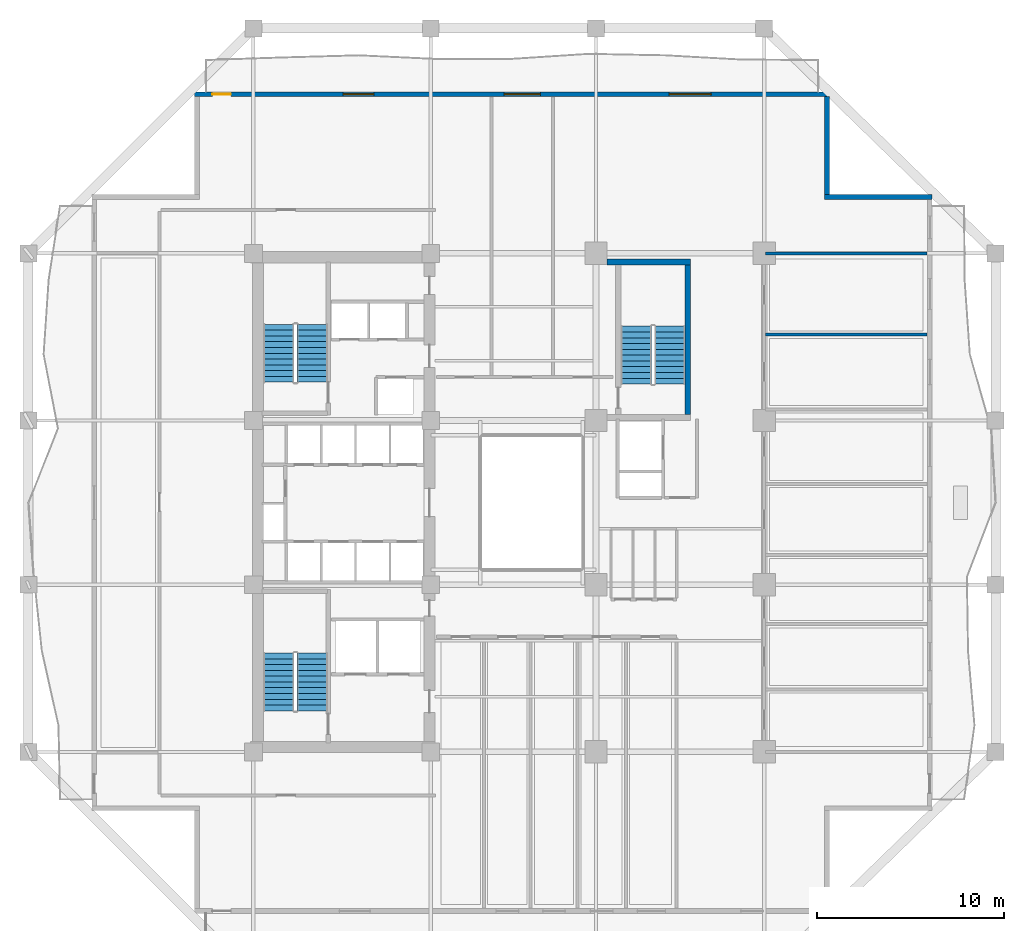
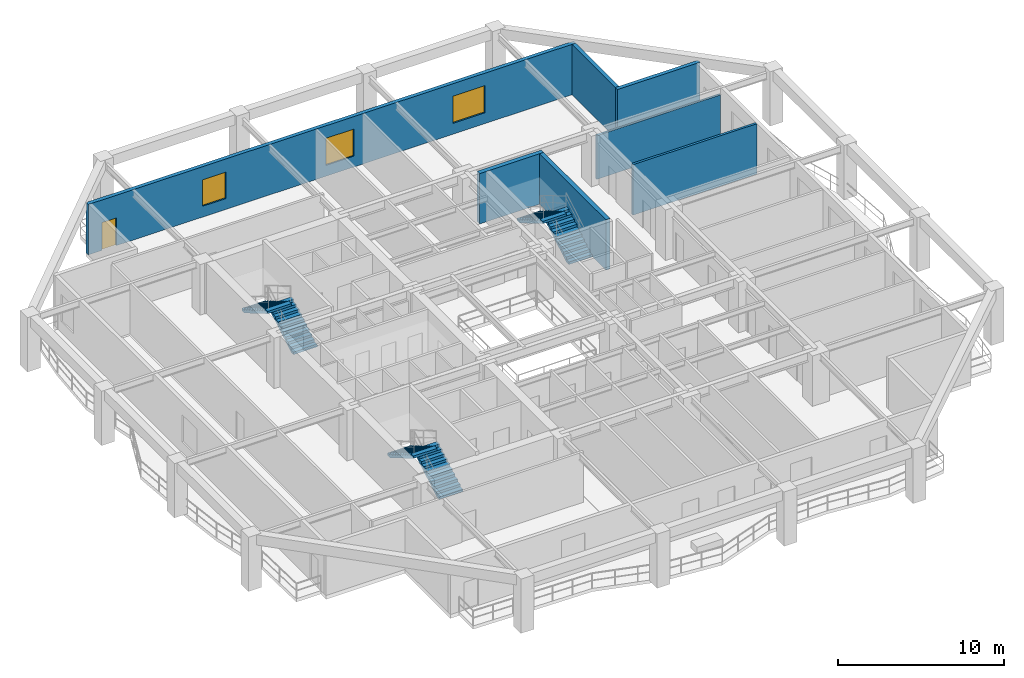
# One storey, part 6 of 13: 7 walls, 6 stair flights, 3 windows, 1 door, 4 openings, 3 elements without a shape of their own.
"""IFC4 building model written with IfcOpenShell, lengths in metres."""

from ifc_helpers import new_model, si_unit, direction, frame, frame_2d, origin, place, context, subcontext, project, spatial, polyline, rectangle, outline, extrude, material, layer, layer_set, type_object, element, fill, aggregate, save


model = new_model("IFC4")

# Units and contexts
model_context = context("Model", 3, precision=1e-05, world=origin(), true_north=direction((0.0, 1.0)))
body_context = subcontext(model_context, "Body", "Model", "MODEL_VIEW")
ifc_project = project(units=[si_unit("LENGTHUNIT", "METRE"), si_unit("AREAUNIT", "SQUARE_METRE"), si_unit("VOLUMEUNIT", "CUBIC_METRE"), si_unit("PLANEANGLEUNIT", "RADIAN"), si_unit("MASSUNIT", "GRAM", prefix="KILO")], contexts=[model_context])

# Site, building, storey
site_placement = place(None, origin())
site = spatial("IfcSite", under=ifc_project, at=site_placement, CompositionType="ELEMENT")
building_placement = place(site_placement, origin())
building = spatial("IfcBuilding", under=site, at=building_placement, Name="Kundavana Baori Tower", CompositionType="ELEMENT")
storey_placement = place(building_placement, frame((0.0, 0.0, 66.0)))
storey = spatial("IfcBuildingStorey", under=building, at=storey_placement, Name="L15", CompositionType="ELEMENT", Elevation=66.0)

# Walls
ifc_material_1 = material(Name="Kiln-Fired Terracotta Brick-Slip Masonry on Concrete C40/50", Category="masonry")
ifc_layer_1 = layer(ifc_material_1, 0.260009765625, Name="WL-EXT-BRK-260")
ifc_layer_set_1 = layer_set([ifc_layer_1], Name="Kiln-Fired Terracotta Brick-Slip Masonry on Concrete C40/50")
wall_type_1 = type_object("IfcWallType", Name="WL-EXT-BRK-260", PredefinedType="SOLIDWALL", material=ifc_layer_set_1)
wall_1_placement = place(storey_placement, frame((51.800048828125, 44.969970703125, 0.0), z_axis=(0.0, 0.0, 1.0), x_axis=(-1.0, 0.0, 0.0)))
element("IfcWall", 1, at=wall_1_placement, inside=storey, type_object=wall_type_1, Name="L15 Exterior Insulated Facade Wall 05", PredefinedType="SOLIDWALL", context=body_context, shape_type="SweptSolid", body=[
    extrude(rectangle(XDim=5.760009765625, YDim=0.260009765625, at=frame_2d((2.8798828125, 0.0))), origin(), (0.0, 0.0, 1.0), 3.719970703125),
])
wall_2_placement = place(storey_placement, frame((46.169921875, 45.10009765625, 0.0), z_axis=(0.0, 0.0, 1.0), x_axis=(0.0, 1.0, 0.0)))
element("IfcWall", 2, at=wall_2_placement, inside=storey, type_object=wall_type_1, Name="L15 Exterior Insulated Facade Wall 06", PredefinedType="SOLIDWALL", context=body_context, shape_type="SweptSolid", body=[
    extrude(rectangle(XDim=5.239990234375, YDim=0.260009765625, at=frame_2d((2.6201171875, 0.0))), origin(), (0.0, 0.0, 1.0), 3.719970703125),
])

# Wall, openings, door, windows
wall_3_placement = place(storey_placement, frame((46.300048828125, 50.469970703125, 0.0), z_axis=(0.0, 0.0, 1.0), x_axis=(-1.0, 0.0, 0.0)))
wall_3 = element("IfcWall", 3, at=wall_3_placement, inside=storey, type_object=wall_type_1, Name="L15 Exterior Insulated Facade Wall 07", PredefinedType="SOLIDWALL", context=body_context, shape_type="SweptSolid", body=[
    extrude(rectangle(XDim=34.0, YDim=0.260009765625, at=frame_2d((17.0, 0.0))), origin(), (0.0, 0.0, 1.0), 3.719970703125),
])
opening_1_placement = place(wall_3_placement, frame((32.050048828125, 0.0, 0.0)))
opening_1 = element("IfcOpeningElement", 4, at=opening_1_placement, cuts=wall_3, Name="Opening BD-1", PredefinedType="OPENING", context=body_context, shape_type="SweptSolid", body=[
    extrude(rectangle(XDim=1.0, YDim=2.050048828125, at=frame_2d((0.5, 1.02490234375))), frame((0.0, 0.14013671875, 0.0), z_axis=(0.0, -1.0, 0.0), x_axis=(1.0, 0.0, 0.0)), (0.0, 0.0, 1.0), 0.280029296875),
])
opening_2_placement = place(wall_3_placement, frame((24.39501953125, 0.0, 0.800048828125)))
opening_2 = element("IfcOpeningElement", 5, at=opening_2_placement, cuts=wall_3, Name="Opening W-08", PredefinedType="OPENING", context=body_context, shape_type="SweptSolid", body=[
    extrude(rectangle(XDim=1.64990234375, YDim=1.949951171875, at=frame_2d((0.824951171875, 0.97509765625))), frame((0.0, 0.14013671875, 0.0), z_axis=(0.0, -1.0, 0.0), x_axis=(1.0, 0.0, 0.0)), (0.0, 0.0, 1.0), 0.280029296875),
])
opening_3_placement = place(wall_3_placement, frame((15.47509765625, 0.0, 0.800048828125)))
opening_3 = element("IfcOpeningElement", 6, at=opening_3_placement, cuts=wall_3, Name="Opening W-09", PredefinedType="OPENING", context=body_context, shape_type="SweptSolid", body=[
    extrude(rectangle(XDim=1.949951171875, YDim=2.0, at=frame_2d((0.97509765625, 1.0))), frame((0.0, 0.14013671875, 0.0), z_axis=(0.0, -1.0, 0.0), x_axis=(1.0, 0.0, 0.0)), (0.0, 0.0, 1.0), 0.280029296875),
])
opening_4_placement = place(wall_3_placement, frame((6.330078125, 0.0, 0.800048828125)))
opening_4 = element("IfcOpeningElement", 7, at=opening_4_placement, cuts=wall_3, Name="Opening W-10", PredefinedType="OPENING", context=body_context, shape_type="SweptSolid", body=[
    extrude(rectangle(XDim=2.25, YDim=2.0, at=frame_2d((1.125, 1.0))), frame((0.0, 0.14013671875, 0.0), z_axis=(0.0, -1.0, 0.0), x_axis=(1.0, 0.0, 0.0)), (0.0, 0.0, 1.0), 0.280029296875),
])
ifc_material_2 = material(Name="Architectural Patinated Bronze Metalwork")
door_type = type_object("IfcDoorType", Name="DR-EXT-LOG-1000", OperationType="NOTDEFINED", PredefinedType="DOOR", material=ifc_material_2)
door_placement = place(opening_1_placement, frame((1.0, 0.0, 0.0), z_axis=(0.0, 0.0, 1.0), x_axis=(-1.0, 0.0, 0.0)))
door = element("IfcDoor", 8, at=door_placement, inside=storey, type_object=door_type, Name="L15 Loggia Balcony Access Door N", OperationType="SINGLE_SWING_LEFT", OverallHeight=2.050048828125, OverallWidth=1.0, PredefinedType="DOOR", context=body_context, shape_type="SweptSolid", body=[
    extrude(rectangle(XDim=1.0, YDim=2.050048828125, at=frame_2d((0.5, 1.02490234375))), frame((0.0, 0.02490234375, 0.0), z_axis=(0.0, -1.0, 0.0), x_axis=(1.0, 0.0, 0.0)), (0.0, 0.0, 1.0), 0.050048828125),
])
fill(opening_1, door)
ifc_material_3 = material(Name="Double-Glazed Solar-Control Low-E Insulated Glass", Category="glass")
window_type_1 = type_object("IfcWindowType", Name="WIN-LOG-1650x1950", PartitioningType="SINGLE_PANEL", PredefinedType="WINDOW", material=ifc_material_3)
window_1_placement = place(opening_2_placement, origin())
window_1 = element("IfcWindow", 9, at=window_1_placement, inside=storey, type_object=window_type_1, Name="L15 Recessed Loggia Window N-1", OverallHeight=1.949951171875, OverallWidth=1.64990234375, PartitioningType="SINGLE_PANEL", PredefinedType="WINDOW", context=body_context, shape_type="SweptSolid", body=[
    extrude(rectangle(XDim=1.64990234375, YDim=1.949951171875, at=frame_2d((0.824951171875, 0.97509765625))), frame((0.0, 0.030029296875, 0.0), z_axis=(0.0, -1.0, 0.0), x_axis=(1.0, 0.0, 0.0)), (0.0, 0.0, 1.0), 0.06005859375),
])
fill(opening_2, window_1)
ifc_material_4 = material(Name="Double-Glazed Solar-Control Low-E Insulated Glass", Category="glass")
window_type_2 = type_object("IfcWindowType", Name="WIN-LOG-1950x2000", PartitioningType="SINGLE_PANEL", PredefinedType="WINDOW", material=ifc_material_4)
window_2_placement = place(opening_3_placement, origin())
window_2 = element("IfcWindow", 10, at=window_2_placement, inside=storey, type_object=window_type_2, Name="L15 Recessed Loggia Window N-2", OverallHeight=2.0, OverallWidth=1.949951171875, PartitioningType="SINGLE_PANEL", PredefinedType="WINDOW", context=body_context, shape_type="SweptSolid", body=[
    extrude(rectangle(XDim=1.949951171875, YDim=2.0, at=frame_2d((0.97509765625, 1.0))), frame((0.0, 0.030029296875, 0.0), z_axis=(0.0, -1.0, 0.0), x_axis=(1.0, 0.0, 0.0)), (0.0, 0.0, 1.0), 0.06005859375),
])
fill(opening_3, window_2)
ifc_material_5 = material(Name="Double-Glazed Solar-Control Low-E Insulated Glass", Category="glass")
window_type_3 = type_object("IfcWindowType", Name="WIN-LOG-2250x2000", PartitioningType="SINGLE_PANEL", PredefinedType="WINDOW", material=ifc_material_5)
window_3_placement = place(opening_4_placement, origin())
window_3 = element("IfcWindow", 11, at=window_3_placement, inside=storey, type_object=window_type_3, Name="L15 Recessed Loggia Window N-3", OverallHeight=2.0, OverallWidth=2.25, PartitioningType="SINGLE_PANEL", PredefinedType="WINDOW", context=body_context, shape_type="SweptSolid", body=[
    extrude(rectangle(XDim=2.25, YDim=2.0, at=frame_2d((1.125, 1.0))), frame((0.0, 0.030029296875, 0.0), z_axis=(0.0, -1.0, 0.0), x_axis=(1.0, 0.0, 0.0)), (0.0, 0.0, 1.0), 0.06005859375),
])
fill(opening_4, window_3)

# Walls
ifc_material_6 = material(Name="Fire-Rated Gypsum Drywall on Galvanised Steel Studs", Category="steel")
ifc_layer_2 = layer(ifc_material_6, 0.1650390625, Name="WL-PART-165")
ifc_layer_set_2 = layer_set([ifc_layer_2], Name="Fire-Rated Gypsum Drywall on Galvanised Steel Studs")
wall_type_2 = type_object("IfcWallType", Name="WL-PART-165", PredefinedType="PARTITIONING", material=ifc_layer_set_2)
wall_4_placement = place(storey_placement, frame((42.8798828125, 41.949951171875, 0.0), z_axis=(0.0, 0.0, 1.0), x_axis=(1.0, 0.0, 0.0)))
element("IfcWall", 12, at=wall_4_placement, inside=storey, type_object=wall_type_2, Name="WL-L15-OFEN", PredefinedType="PARTITIONING", context=body_context, shape_type="SweptSolid", body=[
    extrude(rectangle(XDim=8.64013671875, YDim=0.1650390625, at=frame_2d((4.320068359375, 0.0))), origin(), (0.0, 0.0, 1.0), 3.219970703125),
])
wall_5_placement = place(storey_placement, frame((42.8798828125, 37.60009765625, 0.0), z_axis=(0.0, 0.0, 1.0), x_axis=(1.0, 0.0, 0.0)))
element("IfcWall", 13, at=wall_5_placement, inside=storey, type_object=wall_type_2, Name="WL-L15-ED6", PredefinedType="PARTITIONING", context=body_context, shape_type="SweptSolid", body=[
    extrude(rectangle(XDim=8.64013671875, YDim=0.1650390625, at=frame_2d((4.320068359375, 0.0))), origin(), (0.0, 0.0, 1.0), 3.719970703125),
])
ifc_material_7 = material(Name="Concrete C50/60", Category="concrete")
ifc_layer_3 = layer(ifc_material_7, 0.300048828125, Name="WL-ST3-300")
ifc_layer_set_3 = layer_set([ifc_layer_3], Name="Concrete C50/60")
wall_type_3 = type_object("IfcWallType", Name="WL-ST3-300", PredefinedType="SHEAR", material=ifc_layer_set_3)
wall_6_placement = place(storey_placement, frame((34.39990234375, 41.489990234375, 0.0), z_axis=(0.0, 0.0, 1.0), x_axis=(1.0, 0.0, 0.0)))
element("IfcWall", 14, at=wall_6_placement, inside=storey, type_object=wall_type_3, Name="L15 Stair ST3 North Shear Wall", PredefinedType="SHEAR", context=body_context, shape_type="SweptSolid", body=[
    extrude(rectangle(XDim=4.47021484375, YDim=0.300048828125, at=frame_2d((2.235107421875, 0.0))), origin(), (0.0, 0.0, 1.0), 3.719970703125),
])
wall_7_placement = place(storey_placement, frame((38.719970703125, 33.31005859375, 0.0), z_axis=(0.0, 0.0, 1.0), x_axis=(0.0, 1.0, 0.0)))
element("IfcWall", 15, at=wall_7_placement, inside=storey, type_object=wall_type_3, Name="L15 Stair ST3 East Shear Wall", PredefinedType="SHEAR", context=body_context, shape_type="SweptSolid", body=[
    extrude(rectangle(XDim=8.030029296875, YDim=0.300048828125, at=frame_2d((4.01513671875, 0.0))), origin(), (0.0, 0.0, 1.0), 3.719970703125),
])

# Stair, stair flights
ifc_material_8 = material(Name="Concrete C40/50", Category="concrete")
stair_type = type_object("IfcStairType", Name="STR-DOG-1650", PredefinedType="HALF_TURN_STAIR", material=ifc_material_8)
stair_1_placement = place(storey_placement, origin())
stair_1 = element("IfcStair", 16, at=stair_1_placement, inside=storey, type_object=stair_type, Name="L15 Protected Exit Stair ST1", PredefinedType="HALF_TURN_STAIR")
ifc_material_9 = material(Name="Concrete C40/50", Category="concrete")
stair_flight_type = type_object("IfcStairFlightType", Name="SFL-RC-1650", PredefinedType="STRAIGHT", material=ifc_material_9)
stair_flight_1_placement = place(storey_placement, frame((18.614990234375, 17.449951171875, 0.0), z_axis=(0.0, 0.0, 1.0), x_axis=(0.0, 1.0, 0.0)))
stair_flight_1 = element("IfcStairFlight", 17, at=stair_flight_1_placement, type_object=stair_flight_type, Name="ST1 flight 1", NumberOfRisers=11, NumberOfTreads=10, PredefinedType="STRAIGHT", RiserHeight=0.181818182, TreadLength=0.31, context=body_context, shape_type="SweptSolid", body=[
    extrude(outline(polyline([(0.0, 0.0), (0.0, 0.181884765625), (0.31005859375, 0.181884765625), (0.31005859375, 0.363525390625), (0.6201171875, 0.363525390625), (0.6201171875, 0.54541015625), (0.929931640625, 0.54541015625), (0.929931640625, 0.727294921875), (1.239990234375, 0.727294921875), (1.239990234375, 0.9091796875), (1.550048828125, 0.9091796875), (1.550048828125, 1.0908203125), (1.860107421875, 1.0908203125), (1.860107421875, 1.272705078125), (2.169921875, 1.272705078125), (2.169921875, 1.45458984375), (2.47998046875, 1.45458984375), (2.47998046875, 1.636474609375), (2.7900390625, 1.636474609375), (2.7900390625, 1.818115234375), (3.10009765625, 1.818115234375), (3.10009765625, 2.0), (3.10009765625, 1.644287109375), (0.29638671875, 0.0), (0.0, 0.0)])), frame((0.0, 0.824951171875, 0.0), z_axis=(0.0, -1.0, 0.0), x_axis=(1.0, 0.0, 0.0)), (0.0, 0.0, 1.0), 1.64990234375),
])
stair_flight_2_placement = place(storey_placement, frame((16.804931640625, 20.550048828125, 2.0), z_axis=(0.0, 0.0, 1.0), x_axis=(0.0, -1.0, 0.0)))
stair_flight_2 = element("IfcStairFlight", 18, at=stair_flight_2_placement, type_object=stair_flight_type, Name="ST1 flight 2", NumberOfRisers=11, NumberOfTreads=10, PredefinedType="STRAIGHT", RiserHeight=0.181818182, TreadLength=0.31, context=body_context, shape_type="SweptSolid", body=[
    extrude(outline(polyline([(0.0, 0.0), (0.0, 0.181884765625), (0.31005859375, 0.181884765625), (0.31005859375, 0.363525390625), (0.6201171875, 0.363525390625), (0.6201171875, 0.54541015625), (0.929931640625, 0.54541015625), (0.929931640625, 0.727294921875), (1.239990234375, 0.727294921875), (1.239990234375, 0.9091796875), (1.550048828125, 0.9091796875), (1.550048828125, 1.0908203125), (1.860107421875, 1.0908203125), (1.860107421875, 1.272705078125), (2.169921875, 1.272705078125), (2.169921875, 1.45458984375), (2.47998046875, 1.45458984375), (2.47998046875, 1.636474609375), (2.7900390625, 1.636474609375), (2.7900390625, 1.818115234375), (3.10009765625, 1.818115234375), (3.10009765625, 2.0), (3.10009765625, 1.644287109375), (0.29638671875, 0.0), (0.0, 0.0)])), frame((0.0, 0.824951171875, 0.0), z_axis=(0.0, -1.0, 0.0), x_axis=(1.0, 0.0, 0.0)), (0.0, 0.0, 1.0), 1.64990234375),
])
aggregate(stair_1, [stair_flight_1, stair_flight_2])

stair_2_placement = place(storey_placement, origin())
stair_2 = element("IfcStair", 19, at=stair_2_placement, inside=storey, type_object=stair_type, Name="L15 Protected Exit Stair ST2", PredefinedType="HALF_TURN_STAIR")
stair_flight_3_placement = place(storey_placement, frame((18.614990234375, 35.050048828125, 0.0), z_axis=(0.0, 0.0, 1.0), x_axis=(0.0, 1.0, 0.0)))
stair_flight_3 = element("IfcStairFlight", 20, at=stair_flight_3_placement, type_object=stair_flight_type, Name="ST2 flight 1", NumberOfRisers=11, NumberOfTreads=10, PredefinedType="STRAIGHT", RiserHeight=0.181818182, TreadLength=0.31, context=body_context, shape_type="SweptSolid", body=[
    extrude(outline(polyline([(0.0, 0.0), (0.0, 0.181884765625), (0.31005859375, 0.181884765625), (0.31005859375, 0.363525390625), (0.6201171875, 0.363525390625), (0.6201171875, 0.54541015625), (0.929931640625, 0.54541015625), (0.929931640625, 0.727294921875), (1.239990234375, 0.727294921875), (1.239990234375, 0.9091796875), (1.550048828125, 0.9091796875), (1.550048828125, 1.0908203125), (1.860107421875, 1.0908203125), (1.860107421875, 1.272705078125), (2.169921875, 1.272705078125), (2.169921875, 1.45458984375), (2.47998046875, 1.45458984375), (2.47998046875, 1.636474609375), (2.7900390625, 1.636474609375), (2.7900390625, 1.818115234375), (3.10009765625, 1.818115234375), (3.10009765625, 2.0), (3.10009765625, 1.644287109375), (0.29638671875, 0.0), (0.0, 0.0)])), frame((0.0, 0.824951171875, 0.0), z_axis=(0.0, -1.0, 0.0), x_axis=(1.0, 0.0, 0.0)), (0.0, 0.0, 1.0), 1.64990234375),
])
stair_flight_4_placement = place(storey_placement, frame((16.804931640625, 38.14990234375, 2.0), z_axis=(0.0, 0.0, 1.0), x_axis=(0.0, -1.0, 0.0)))
stair_flight_4 = element("IfcStairFlight", 21, at=stair_flight_4_placement, type_object=stair_flight_type, Name="ST2 flight 2", NumberOfRisers=11, NumberOfTreads=10, PredefinedType="STRAIGHT", RiserHeight=0.181818182, TreadLength=0.31, context=body_context, shape_type="SweptSolid", body=[
    extrude(outline(polyline([(0.0, 0.0), (0.0, 0.181884765625), (0.31005859375, 0.181884765625), (0.31005859375, 0.363525390625), (0.6201171875, 0.363525390625), (0.6201171875, 0.54541015625), (0.929931640625, 0.54541015625), (0.929931640625, 0.727294921875), (1.239990234375, 0.727294921875), (1.239990234375, 0.9091796875), (1.550048828125, 0.9091796875), (1.550048828125, 1.0908203125), (1.860107421875, 1.0908203125), (1.860107421875, 1.272705078125), (2.169921875, 1.272705078125), (2.169921875, 1.45458984375), (2.47998046875, 1.45458984375), (2.47998046875, 1.636474609375), (2.7900390625, 1.636474609375), (2.7900390625, 1.818115234375), (3.10009765625, 1.818115234375), (3.10009765625, 2.0), (3.10009765625, 1.644287109375), (0.29638671875, 0.0), (0.0, 0.0)])), frame((0.0, 0.824951171875, 0.0), z_axis=(0.0, -1.0, 0.0), x_axis=(1.0, 0.0, 0.0)), (0.0, 0.0, 1.0), 1.64990234375),
])
aggregate(stair_2, [stair_flight_3, stair_flight_4])

stair_3_placement = place(storey_placement, origin())
stair_3 = element("IfcStair", 22, at=stair_3_placement, inside=storey, type_object=stair_type, Name="L15 Protected Exit Stair ST3", PredefinedType="HALF_TURN_STAIR")
stair_flight_5_placement = place(storey_placement, frame((37.7548828125, 34.949951171875, 0.0), z_axis=(0.0, 0.0, 1.0), x_axis=(0.0, 1.0, 0.0)))
stair_flight_5 = element("IfcStairFlight", 23, at=stair_flight_5_placement, type_object=stair_flight_type, Name="ST3 flight 1", NumberOfRisers=11, NumberOfTreads=10, PredefinedType="STRAIGHT", RiserHeight=0.181818182, TreadLength=0.31, context=body_context, shape_type="SweptSolid", body=[
    extrude(outline(polyline([(0.0, 0.0), (0.0, 0.181884765625), (0.31005859375, 0.181884765625), (0.31005859375, 0.363525390625), (0.6201171875, 0.363525390625), (0.6201171875, 0.54541015625), (0.929931640625, 0.54541015625), (0.929931640625, 0.727294921875), (1.239990234375, 0.727294921875), (1.239990234375, 0.9091796875), (1.550048828125, 0.9091796875), (1.550048828125, 1.0908203125), (1.860107421875, 1.0908203125), (1.860107421875, 1.272705078125), (2.169921875, 1.272705078125), (2.169921875, 1.45458984375), (2.47998046875, 1.45458984375), (2.47998046875, 1.636474609375), (2.7900390625, 1.636474609375), (2.7900390625, 1.818115234375), (3.10009765625, 1.818115234375), (3.10009765625, 2.0), (3.10009765625, 1.644287109375), (0.29638671875, 0.0), (0.0, 0.0)])), frame((0.0, 0.824951171875, 0.0), z_axis=(0.0, -1.0, 0.0), x_axis=(1.0, 0.0, 0.0)), (0.0, 0.0, 1.0), 1.64990234375),
])
stair_flight_6_placement = place(storey_placement, frame((35.945068359375, 38.050048828125, 2.0), z_axis=(0.0, 0.0, 1.0), x_axis=(0.0, -1.0, 0.0)))
stair_flight_6 = element("IfcStairFlight", 24, at=stair_flight_6_placement, type_object=stair_flight_type, Name="ST3 flight 2", NumberOfRisers=11, NumberOfTreads=10, PredefinedType="STRAIGHT", RiserHeight=0.181818182, TreadLength=0.31, context=body_context, shape_type="SweptSolid", body=[
    extrude(outline(polyline([(0.0, 0.0), (0.0, 0.181884765625), (0.31005859375, 0.181884765625), (0.31005859375, 0.363525390625), (0.6201171875, 0.363525390625), (0.6201171875, 0.54541015625), (0.929931640625, 0.54541015625), (0.929931640625, 0.727294921875), (1.239990234375, 0.727294921875), (1.239990234375, 0.9091796875), (1.550048828125, 0.9091796875), (1.550048828125, 1.0908203125), (1.860107421875, 1.0908203125), (1.860107421875, 1.272705078125), (2.169921875, 1.272705078125), (2.169921875, 1.45458984375), (2.47998046875, 1.45458984375), (2.47998046875, 1.636474609375), (2.7900390625, 1.636474609375), (2.7900390625, 1.818115234375), (3.10009765625, 1.818115234375), (3.10009765625, 2.0), (3.10009765625, 1.644287109375), (0.29638671875, 0.0), (0.0, 0.0)])), frame((0.0, 0.824951171875, 0.0), z_axis=(0.0, -1.0, 0.0), x_axis=(1.0, 0.0, 0.0)), (0.0, 0.0, 1.0), 1.64990234375),
])
aggregate(stair_3, [stair_flight_5, stair_flight_6])

save(model, "model.ifc")
